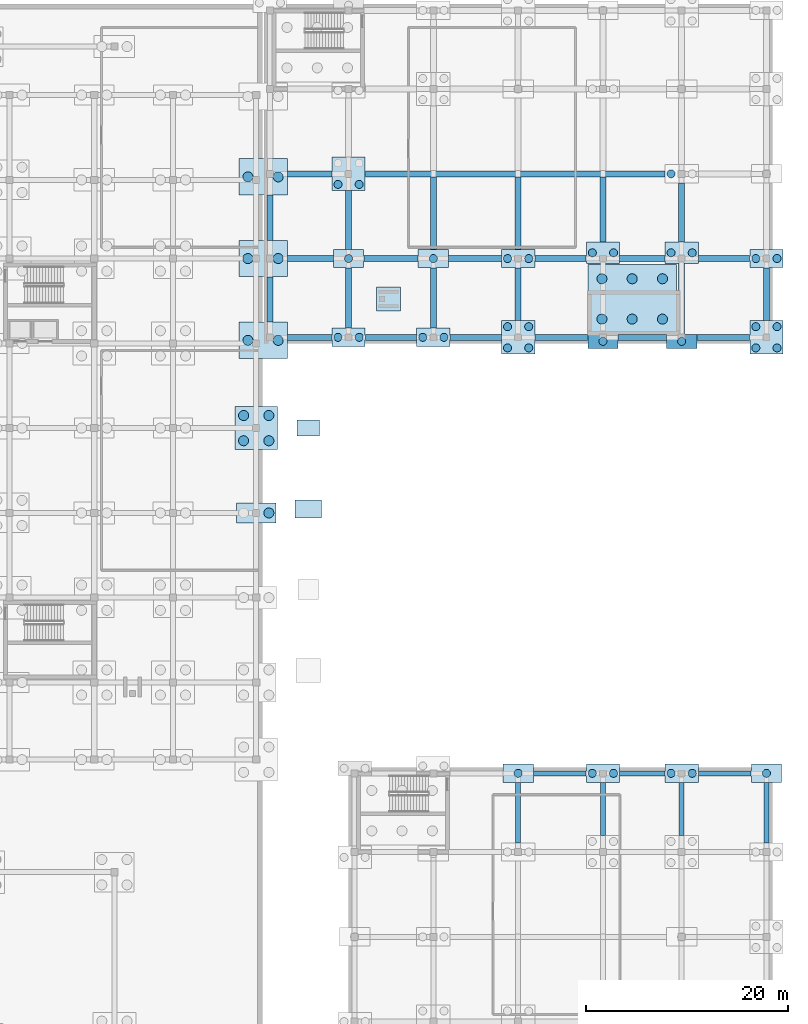
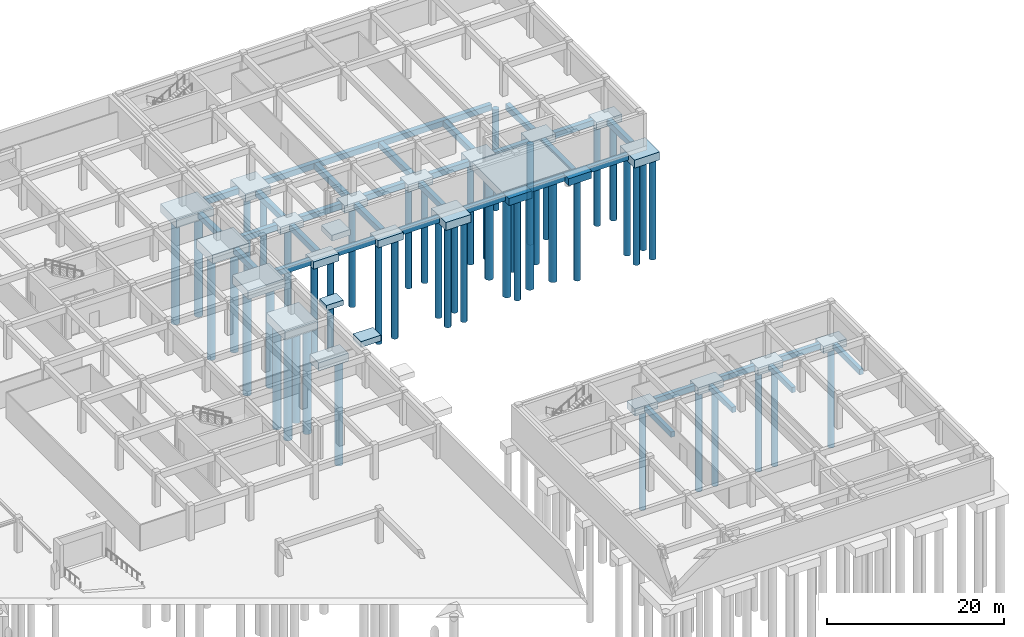
# One storey, part 6 of 35: 59 footings, 50 piles.
"""IFC4 building model written with IfcOpenShell, lengths in metres."""

from ifc_helpers import new_model, si_unit, direction, frame, origin, origin_2d, place, context, subcontext, project, spatial, rectangle, circle, extrude, material, material_profile, profile_set, type_object, element, save


model = new_model("IFC4")

# Units and contexts
model_context = context("Model", 3, precision=1e-05, world=origin(), true_north=direction((0.0, 1.0)))
body_context = subcontext(model_context, "Body", "Model", "MODEL_VIEW")
ifc_project = project(units=[si_unit("LENGTHUNIT", "METRE"), si_unit("AREAUNIT", "SQUARE_METRE"), si_unit("VOLUMEUNIT", "CUBIC_METRE"), si_unit("PLANEANGLEUNIT", "RADIAN"), si_unit("MASSUNIT", "GRAM", prefix="KILO")], contexts=[model_context])

# Site, building, storey
site_placement = place(None, origin())
site = spatial("IfcSite", under=ifc_project, at=site_placement, CompositionType="ELEMENT")
building_placement = place(site_placement, origin())
building = spatial("IfcBuilding", under=site, at=building_placement, Name="Zayran Congress Hotel", CompositionType="ELEMENT")
storey_placement = place(building_placement, frame((0.0, 0.0, -4.800048828125)))
storey = spatial("IfcBuildingStorey", under=building, at=storey_placement, Name="B1", CompositionType="ELEMENT", Elevation=-4.800048828125)

# Piles
ifc_material = material(Name="Concrete C40/50", Category="concrete")
ifc_material_profile_1 = material_profile(ifc_material, circle(Radius=0.5, at=origin_2d()), Name="PILE D1000")
ifc_profile_set_1 = profile_set([ifc_material_profile_1], Name="Concrete C40/50")
pile_type_1 = type_object("IfcPileType", Name="TP-PL-1000", PredefinedType="BORED", material=ifc_profile_set_1)
for number, where, z_axis, x_axis, name in (
    (1, (176.300048828125, 86.800048828125, -1.599853515625), (0.0, 0.0, -1.0), (1.0, 0.0, 0.0), "PIL-0007"),
    (2, (176.300048828125, 90.800048828125, -1.599853515625), (0.0, 0.0, -1.0), (1.0, 0.0, 0.0), "PIL-0008"),
    (3, (179.300048828125, 86.800048828125, -1.599853515625), (0.0, 0.0, -1.0), (1.0, 0.0, 0.0), "PIL-0009"),
    (4, (179.300048828125, 90.800048828125, -1.599853515625), (0.0, 0.0, -1.0), (1.0, 0.0, 0.0), "PIL-0010"),
    (5, (182.300048828125, 86.800048828125, -1.599853515625), (0.0, 0.0, -1.0), (1.0, 0.0, 0.0), "PIL-0011"),
    (6, (182.300048828125, 90.800048828125, -1.599853515625), (0.0, 0.0, -1.0), (1.0, 0.0, 0.0), "PIL-0012"),
    (7, (143.300048828125, 67.60009765625, -1.599853515625), (0.0, 0.0, -1.0), (1.0, 0.0, 0.0), "PIL-0577"),
):
    element("IfcPile", number, at=place(storey_placement, frame(where, z_axis=z_axis, x_axis=x_axis)), inside=storey, type_object=pile_type_1, Name=name, PredefinedType="BORED", context=body_context, shape_type="SweptSolid", body=[
        extrude(circle(Radius=0.5, at=origin_2d()), origin(), (0.0, 0.0, 1.0), 14.60009765625),
    ])
for number, where, z_axis, x_axis, name in (
    (8, (140.800048828125, 74.75, -1.699951171875), (0.0, 0.0, -1.0), (1.0, 0.0, 0.0), "PIL-0578"),
    (9, (143.300048828125, 74.75, -1.699951171875), (0.0, 0.0, -1.0), (1.0, 0.0, 0.0), "PIL-0579"),
    (10, (140.800048828125, 77.25, -1.699951171875), (0.0, 0.0, -1.0), (1.0, 0.0, 0.0), "PIL-0580"),
    (11, (143.300048828125, 77.25, -1.699951171875), (0.0, 0.0, -1.0), (1.0, 0.0, 0.0), "PIL-0581"),
    (12, (141.22509765625, 84.699951171875, -1.699951171875), (0.0, 0.0, -1.0), (1.0, 0.0, 0.0), "PIL-0582"),
    (13, (144.22509765625, 84.699951171875, -1.699951171875), (0.0, 0.0, -1.0), (1.0, 0.0, 0.0), "PIL-0583"),
    (14, (141.22509765625, 92.800048828125, -1.699951171875), (0.0, 0.0, -1.0), (1.0, 0.0, 0.0), "PIL-0584"),
    (15, (144.22509765625, 92.800048828125, -1.699951171875), (0.0, 0.0, -1.0), (1.0, 0.0, 0.0), "PIL-0585"),
    (16, (141.22509765625, 100.89990234375, -1.699951171875), (0.0, 0.0, -1.0), (1.0, 0.0, 0.0), "PIL-0586"),
    (17, (144.22509765625, 100.89990234375, -1.699951171875), (0.0, 0.0, -1.0), (1.0, 0.0, 0.0), "PIL-0587"),
):
    element("IfcPile", number, at=place(storey_placement, frame(where, z_axis=z_axis, x_axis=x_axis)), inside=storey, type_object=pile_type_1, Name=name, PredefinedType="BORED", context=body_context, shape_type="SweptSolid", body=[
        extrude(circle(Radius=0.5, at=origin_2d()), origin(), (0.0, 0.0, 1.0), 14.5),
    ])
ifc_material_profile_2 = material_profile(ifc_material, circle(Radius=0.39990234375, at=origin_2d()), Name="PILE D800")
ifc_profile_set_2 = profile_set([ifc_material_profile_2], Name="Concrete C40/50")
pile_type_2 = type_object("IfcPileType", Name="TP-PL-800", PredefinedType="BORED", material=ifc_profile_set_2)
for number, where, z_axis, x_axis, name in (
    (18, (150.14990234375, 85.0, -1.5), (0.0, 0.0, -1.0), (1.0, 0.0, 0.0), "PIL-0592"),
    (19, (152.25, 85.0, -1.5), (0.0, 0.0, -1.0), (1.0, 0.0, 0.0), "PIL-0593"),
    (20, (151.199951171875, 92.800048828125, -1.5), (0.0, 0.0, -1.0), (1.0, 0.0, 0.0), "PIL-0594"),
):
    element("IfcPile", number, at=place(storey_placement, frame(where, z_axis=z_axis, x_axis=x_axis)), inside=storey, type_object=pile_type_2, Name=name, PredefinedType="BORED", context=body_context, shape_type="SweptSolid", body=[
        extrude(circle(Radius=0.39990234375, at=origin_2d()), origin(), (0.0, 0.0, 1.0), 13.89990234375),
    ])
for number, where, z_axis, x_axis, name in (
    (21, (150.14990234375, 100.14990234375, -1.599853515625), (0.0, 0.0, -1.0), (1.0, 0.0, 0.0), "PIL-0595"),
    (22, (152.25, 100.14990234375, -1.599853515625), (0.0, 0.0, -1.0), (1.0, 0.0, 0.0), "PIL-0596"),
):
    element("IfcPile", number, at=place(storey_placement, frame(where, z_axis=z_axis, x_axis=x_axis)), inside=storey, type_object=pile_type_2, Name=name, PredefinedType="BORED", context=body_context, shape_type="SweptSolid", body=[
        extrude(circle(Radius=0.39990234375, at=origin_2d()), origin(), (0.0, 0.0, 1.0), 13.800048828125),
    ])
for number, where, z_axis, x_axis, name in (
    (23, (158.550048828125, 85.0, -1.5), (0.0, 0.0, -1.0), (1.0, 0.0, 0.0), "PIL-0626"),
    (24, (160.64990234375, 85.0, -1.5), (0.0, 0.0, -1.0), (1.0, 0.0, 0.0), "PIL-0627"),
    (25, (159.60009765625, 92.800048828125, -1.5), (0.0, 0.0, -1.0), (1.0, 0.0, 0.0), "PIL-0628"),
    (26, (168.0, 41.800048828125, -1.5), (0.0, 0.0, -1.0), (1.0, 0.0, 0.0), "PIL-0645"),
):
    element("IfcPile", number, at=place(storey_placement, frame(where, z_axis=z_axis, x_axis=x_axis)), inside=storey, type_object=pile_type_2, Name=name, PredefinedType="BORED", context=body_context, shape_type="SweptSolid", body=[
        extrude(circle(Radius=0.39990234375, at=origin_2d()), origin(), (0.0, 0.0, 1.0), 13.89990234375),
    ])
for number, where, z_axis, x_axis, name in (
    (27, (166.949951171875, 83.949951171875, -1.599853515625), (0.0, 0.0, -1.0), (1.0, 0.0, 0.0), "PIL-0646"),
    (28, (169.050048828125, 83.949951171875, -1.599853515625), (0.0, 0.0, -1.0), (1.0, 0.0, 0.0), "PIL-0647"),
    (29, (166.949951171875, 86.050048828125, -1.599853515625), (0.0, 0.0, -1.0), (1.0, 0.0, 0.0), "PIL-0648"),
    (30, (169.050048828125, 86.050048828125, -1.599853515625), (0.0, 0.0, -1.0), (1.0, 0.0, 0.0), "PIL-0649"),
):
    element("IfcPile", number, at=place(storey_placement, frame(where, z_axis=z_axis, x_axis=x_axis)), inside=storey, type_object=pile_type_2, Name=name, PredefinedType="BORED", context=body_context, shape_type="SweptSolid", body=[
        extrude(circle(Radius=0.39990234375, at=origin_2d()), origin(), (0.0, 0.0, 1.0), 13.800048828125),
    ])
for number, where, z_axis, x_axis, name in (
    (31, (166.949951171875, 92.800048828125, -1.5), (0.0, 0.0, -1.0), (1.0, 0.0, 0.0), "PIL-0650"),
    (32, (169.050048828125, 92.800048828125, -1.5), (0.0, 0.0, -1.0), (1.0, 0.0, 0.0), "PIL-0651"),
    (33, (175.35009765625, 41.800048828125, -1.5), (0.0, 0.0, -1.0), (1.0, 0.0, 0.0), "PIL-0666"),
    (34, (177.449951171875, 41.800048828125, -1.5), (0.0, 0.0, -1.0), (1.0, 0.0, 0.0), "PIL-0667"),
    (35, (176.39990234375, 84.60009765625, -1.5), (0.0, 0.0, -1.0), (1.0, 0.0, 0.0), "PIL-0668"),
):
    element("IfcPile", number, at=place(storey_placement, frame(where, z_axis=z_axis, x_axis=x_axis)), inside=storey, type_object=pile_type_2, Name=name, PredefinedType="BORED", context=body_context, shape_type="SweptSolid", body=[
        extrude(circle(Radius=0.39990234375, at=origin_2d()), origin(), (0.0, 0.0, 1.0), 13.89990234375),
    ])
for number, where, z_axis, x_axis, name in (
    (36, (175.35009765625, 93.375, -1.599853515625), (0.0, 0.0, -1.0), (1.0, 0.0, 0.0), "PIL-0669"),
    (37, (177.449951171875, 93.375, -1.599853515625), (0.0, 0.0, -1.0), (1.0, 0.0, 0.0), "PIL-0670"),
):
    element("IfcPile", number, at=place(storey_placement, frame(where, z_axis=z_axis, x_axis=x_axis)), inside=storey, type_object=pile_type_2, Name=name, PredefinedType="BORED", context=body_context, shape_type="SweptSolid", body=[
        extrude(circle(Radius=0.39990234375, at=origin_2d()), origin(), (0.0, 0.0, 1.0), 13.800048828125),
    ])
for number, where, z_axis, x_axis, name in (
    (38, (183.14990234375, 41.800048828125, -1.5), (0.0, 0.0, -1.0), (1.0, 0.0, 0.0), "PIL-0685"),
    (39, (185.25, 41.800048828125, -1.5), (0.0, 0.0, -1.0), (1.0, 0.0, 0.0), "PIL-0686"),
    (40, (184.199951171875, 84.60009765625, -1.5), (0.0, 0.0, -1.0), (1.0, 0.0, 0.0), "PIL-0687"),
):
    element("IfcPile", number, at=place(storey_placement, frame(where, z_axis=z_axis, x_axis=x_axis)), inside=storey, type_object=pile_type_2, Name=name, PredefinedType="BORED", context=body_context, shape_type="SweptSolid", body=[
        extrude(circle(Radius=0.39990234375, at=origin_2d()), origin(), (0.0, 0.0, 1.0), 13.89990234375),
    ])
for number, where, z_axis, x_axis, name in (
    (41, (183.14990234375, 93.375, -1.599853515625), (0.0, 0.0, -1.0), (1.0, 0.0, 0.0), "PIL-0688"),
    (42, (185.25, 93.375, -1.599853515625), (0.0, 0.0, -1.0), (1.0, 0.0, 0.0), "PIL-0689"),
):
    element("IfcPile", number, at=place(storey_placement, frame(where, z_axis=z_axis, x_axis=x_axis)), inside=storey, type_object=pile_type_2, Name=name, PredefinedType="BORED", context=body_context, shape_type="SweptSolid", body=[
        extrude(circle(Radius=0.39990234375, at=origin_2d()), origin(), (0.0, 0.0, 1.0), 13.800048828125),
    ])
for number, where, z_axis, x_axis, name in (
    (43, (183.14990234375, 101.199951171875, -1.5), (0.0, 0.0, -1.0), (1.0, 0.0, 0.0), "PIL-0690"),
    (44, (192.60009765625, 41.800048828125, -1.5), (0.0, 0.0, -1.0), (1.0, 0.0, 0.0), "PIL-0708"),
):
    element("IfcPile", number, at=place(storey_placement, frame(where, z_axis=z_axis, x_axis=x_axis)), inside=storey, type_object=pile_type_2, Name=name, PredefinedType="BORED", context=body_context, shape_type="SweptSolid", body=[
        extrude(circle(Radius=0.39990234375, at=origin_2d()), origin(), (0.0, 0.0, 1.0), 13.89990234375),
    ])
for number, where, z_axis, x_axis, name in (
    (45, (191.550048828125, 83.949951171875, -1.599853515625), (0.0, 0.0, -1.0), (1.0, 0.0, 0.0), "PIL-0709"),
    (46, (193.64990234375, 83.949951171875, -1.599853515625), (0.0, 0.0, -1.0), (1.0, 0.0, 0.0), "PIL-0710"),
    (47, (191.550048828125, 86.050048828125, -1.599853515625), (0.0, 0.0, -1.0), (1.0, 0.0, 0.0), "PIL-0711"),
    (48, (193.64990234375, 86.050048828125, -1.599853515625), (0.0, 0.0, -1.0), (1.0, 0.0, 0.0), "PIL-0712"),
):
    element("IfcPile", number, at=place(storey_placement, frame(where, z_axis=z_axis, x_axis=x_axis)), inside=storey, type_object=pile_type_2, Name=name, PredefinedType="BORED", context=body_context, shape_type="SweptSolid", body=[
        extrude(circle(Radius=0.39990234375, at=origin_2d()), origin(), (0.0, 0.0, 1.0), 13.800048828125),
    ])
for number, where, z_axis, x_axis, name in (
    (49, (191.550048828125, 92.800048828125, -1.5), (0.0, 0.0, -1.0), (1.0, 0.0, 0.0), "PIL-0713"),
    (50, (193.64990234375, 92.800048828125, -1.5), (0.0, 0.0, -1.0), (1.0, 0.0, 0.0), "PIL-0714"),
):
    element("IfcPile", number, at=place(storey_placement, frame(where, z_axis=z_axis, x_axis=x_axis)), inside=storey, type_object=pile_type_2, Name=name, PredefinedType="BORED", context=body_context, shape_type="SweptSolid", body=[
        extrude(circle(Radius=0.39990234375, at=origin_2d()), origin(), (0.0, 0.0, 1.0), 13.89990234375),
    ])

# Footings
footing_type_1 = type_object("IfcFootingType", Name="TP-PC-06", PredefinedType="PILE_CAP", material=ifc_material)
footing_1_placement = place(storey_placement, frame((142.050048828125, 76.0, -1.7998046875), z_axis=(0.0, 0.0, 1.0), x_axis=(1.0, 0.0, 0.0)))
element("IfcFooting", 51, at=footing_1_placement, inside=storey, type_object=footing_type_1, Name="FTG-CAP-172", PredefinedType="PILE_CAP", context=body_context, shape_type="SweptSolid", body=[
    extrude(rectangle(XDim=4.25, YDim=4.25, at=origin_2d()), origin(), (0.0, 0.0, 1.0), 1.199951171875),
])
footing_type_2 = type_object("IfcFootingType", Name="TP-PC-08", PredefinedType="PILE_CAP", material=ifc_material)
for number, where, z_axis, x_axis, name in (
    (52, (151.199951171875, 101.199951171875, -1.699951171875), (0.0, 0.0, 1.0), (1.0, 0.0, 0.0), "FTG-CAP-180"),
    (53, (168.0, 85.0, -1.699951171875), (0.0, 0.0, 1.0), (1.0, 0.0, 0.0), "FTG-CAP-201"),
    (54, (192.60009765625, 85.0, -1.699951171875), (0.0, 0.0, 1.0), (1.0, 0.0, 0.0), "FTG-CAP-228"),
):
    element("IfcFooting", number, at=place(storey_placement, frame(where, z_axis=z_axis, x_axis=x_axis)), inside=storey, type_object=footing_type_2, Name=name, PredefinedType="PILE_CAP", context=body_context, shape_type="SweptSolid", body=[
        extrude(rectangle(XDim=3.300048828125, YDim=3.300048828125, at=origin_2d()), origin(), (0.0, 0.0, 1.0), 1.10009765625),
    ])
footing_type_3 = type_object("IfcFootingType", Name="TP-PC-12", PredefinedType="PILE_CAP", material=ifc_material)
footing_2_placement = place(storey_placement, frame((142.050048828125, 67.60009765625, -1.699951171875), z_axis=(0.0, 0.0, 1.0), x_axis=(1.0, 0.0, 0.0)))
element("IfcFooting", 55, at=footing_2_placement, inside=storey, type_object=footing_type_3, Name="FTG-CAP-171", PredefinedType="PILE_CAP", context=body_context, shape_type="SweptSolid", body=[
    extrude(rectangle(XDim=3.89990234375, YDim=2.0, at=origin_2d()), origin(), (0.0, 0.0, 1.0), 1.10009765625),
])
footing_type_4 = type_object("IfcFootingType", Name="TP-PC-13", PredefinedType="PILE_CAP", material=ifc_material)
for number, where, z_axis, x_axis, name in (
    (56, (151.199951171875, 85.0, -1.599853515625), (0.0, 0.0, 1.0), (1.0, 0.0, 0.0), "FTG-CAP-178"),
    (57, (159.60009765625, 85.0, -1.599853515625), (0.0, 0.0, 1.0), (1.0, 0.0, 0.0), "FTG-CAP-193"),
    (58, (168.0, 92.800048828125, -1.599853515625), (0.0, 0.0, 1.0), (1.0, 0.0, 0.0), "FTG-CAP-202"),
    (59, (176.39990234375, 41.800048828125, -1.599853515625), (0.0, 0.0, 1.0), (1.0, 0.0, 0.0), "FTG-CAP-208"),
    (60, (184.199951171875, 41.800048828125, -1.599853515625), (0.0, 0.0, 1.0), (1.0, 0.0, 0.0), "FTG-CAP-217"),
    (61, (192.60009765625, 92.800048828125, -1.599853515625), (0.0, 0.0, 1.0), (1.0, 0.0, 0.0), "FTG-CAP-229"),
):
    element("IfcFooting", number, at=place(storey_placement, frame(where, z_axis=z_axis, x_axis=x_axis)), inside=storey, type_object=footing_type_4, Name=name, PredefinedType="PILE_CAP", context=body_context, shape_type="SweptSolid", body=[
        extrude(rectangle(XDim=3.300048828125, YDim=1.800048828125, at=origin_2d()), origin(), (0.0, 0.0, 1.0), 1.0),
    ])
footing_type_5 = type_object("IfcFootingType", Name="TP-PC-14", PredefinedType="PILE_CAP", material=ifc_material)
for number, where, z_axis, x_axis, name in (
    (62, (151.199951171875, 92.800048828125, -1.599853515625), (0.0, 0.0, 1.0), (1.0, 0.0, 0.0), "FTG-CAP-179"),
    (63, (159.60009765625, 92.800048828125, -1.599853515625), (0.0, 0.0, 1.0), (1.0, 0.0, 0.0), "FTG-CAP-194"),
    (64, (168.0, 41.800048828125, -1.599853515625), (0.0, 0.0, 1.0), (1.0, 0.0, 0.0), "FTG-CAP-200"),
    (65, (192.60009765625, 41.800048828125, -1.599853515625), (0.0, 0.0, 1.0), (1.0, 0.0, 0.0), "FTG-CAP-227"),
):
    element("IfcFooting", number, at=place(storey_placement, frame(where, z_axis=z_axis, x_axis=x_axis)), inside=storey, type_object=footing_type_5, Name=name, PredefinedType="PILE_CAP", context=body_context, shape_type="SweptSolid", body=[
        extrude(rectangle(XDim=3.0, YDim=1.800048828125, at=origin_2d()), origin(), (0.0, 0.0, 1.0), 1.0),
    ])
footing_type_6 = type_object("IfcFootingType", Name="TP-PF-01", PredefinedType="PAD_FOOTING", material=ifc_material)
footing_3_placement = place(storey_placement, frame((155.14990234375, 88.800048828125, -1.39990234375), z_axis=(0.0, 0.0, 1.0), x_axis=(1.0, 0.0, 0.0)))
element("IfcFooting", 66, at=footing_3_placement, inside=storey, type_object=footing_type_6, Name="FTG-VOM-04", PredefinedType="PAD_FOOTING", context=body_context, shape_type="SweptSolid", body=[
    extrude(rectangle(XDim=2.39990234375, YDim=2.39990234375, at=origin_2d()), origin(), (0.0, 0.0, 1.0), 0.800048828125),
])
footing_type_7 = type_object("IfcFootingType", Name="TP-PF-03", PredefinedType="PAD_FOOTING", material=ifc_material)
footing_4_placement = place(storey_placement, frame((147.199951171875, 68.0, -0.7998046875), z_axis=(0.0, 0.0, 1.0), x_axis=(1.0, 0.0, 0.0)))
element("IfcFooting", 67, at=footing_4_placement, inside=storey, type_object=footing_type_7, Name="FTG-PAD-09", PredefinedType="PAD_FOOTING", context=body_context, shape_type="SweptSolid", body=[
    extrude(rectangle(XDim=2.60009765625, YDim=1.800048828125, at=origin_2d()), origin(), (0.0, 0.0, 1.0), 0.800048828125),
])
footing_type_8 = type_object("IfcFootingType", Name="TP-PF-04", PredefinedType="PAD_FOOTING", material=ifc_material)
footing_5_placement = place(storey_placement, frame((147.199951171875, 76.0, -0.69970703125), z_axis=(0.0, 0.0, 1.0), x_axis=(1.0, 0.0, 0.0)))
element("IfcFooting", 68, at=footing_5_placement, inside=storey, type_object=footing_type_8, Name="FTG-PAD-10", PredefinedType="PAD_FOOTING", context=body_context, shape_type="SweptSolid", body=[
    extrude(rectangle(XDim=2.199951171875, YDim=1.60009765625, at=origin_2d()), origin(), (0.0, 0.0, 1.0), 0.699951171875),
])
footing_type_9 = type_object("IfcFootingType", Name="TP-GB-01", PredefinedType="FOOTING_BEAM", material=ifc_material)
footing_6_placement = place(storey_placement, frame((147.3369140625, 85.0, -1.39990234375), z_axis=(0.0, 0.0, 1.0), x_axis=(1.0, 0.0, 0.0)))
element("IfcFooting", 69, at=footing_6_placement, inside=storey, type_object=footing_type_9, Name="FTG-GB-001", PredefinedType="FOOTING_BEAM", context=body_context, shape_type="SweptSolid", body=[
    extrude(rectangle(XDim=4.405029296875, YDim=0.60009765625, at=origin_2d()), origin(), (0.0, 0.0, 1.0), 0.800048828125),
])
for number, where, z_axis, x_axis, name in (
    (70, (155.39990234375, 85.0, -1.39990234375), (0.0, 0.0, 1.0), (1.0, 0.0, 0.0), "FTG-GB-002"),
    (71, (163.800048828125, 85.0, -1.39990234375), (0.0, 0.0, 1.0), (1.0, 0.0, 0.0), "FTG-GB-003"),
):
    element("IfcFooting", number, at=place(storey_placement, frame(where, z_axis=z_axis, x_axis=x_axis)), inside=storey, type_object=footing_type_9, Name=name, PredefinedType="FOOTING_BEAM", context=body_context, shape_type="SweptSolid", body=[
        extrude(rectangle(XDim=5.080078125, YDim=0.60009765625, at=origin_2d()), origin(), (0.0, 0.0, 1.0), 0.800048828125),
    ])
footing_7_placement = place(storey_placement, frame((172.27490234375, 85.0, -1.39990234375), z_axis=(0.0, 0.0, 1.0), x_axis=(1.0, 0.0, 0.0)))
element("IfcFooting", 72, at=footing_7_placement, inside=storey, type_object=footing_type_9, Name="FTG-GB-004", PredefinedType="FOOTING_BEAM", context=body_context, shape_type="SweptSolid", body=[
    extrude(rectangle(XDim=5.22998046875, YDim=0.60009765625, at=origin_2d()), origin(), (0.0, 0.0, 1.0), 0.800048828125),
])
footing_8_placement = place(storey_placement, frame((180.300048828125, 85.0, -1.39990234375), z_axis=(0.0, 0.0, 1.0), x_axis=(1.0, 0.0, 0.0)))
element("IfcFooting", 73, at=footing_8_placement, inside=storey, type_object=footing_type_9, Name="FTG-GB-005", PredefinedType="FOOTING_BEAM", context=body_context, shape_type="SweptSolid", body=[
    extrude(rectangle(XDim=4.780029296875, YDim=0.60009765625, at=origin_2d()), origin(), (0.0, 0.0, 1.0), 0.800048828125),
])
footing_9_placement = place(storey_placement, frame((188.324951171875, 85.0, -1.39990234375), z_axis=(0.0, 0.0, 1.0), x_axis=(1.0, 0.0, 0.0)))
element("IfcFooting", 74, at=footing_9_placement, inside=storey, type_object=footing_type_9, Name="FTG-GB-006", PredefinedType="FOOTING_BEAM", context=body_context, shape_type="SweptSolid", body=[
    extrude(rectangle(XDim=5.22998046875, YDim=0.60009765625, at=origin_2d()), origin(), (0.0, 0.0, 1.0), 0.800048828125),
])
footing_10_placement = place(storey_placement, frame((147.412109375, 92.800048828125, -1.39990234375), z_axis=(0.0, 0.0, 1.0), x_axis=(1.0, 0.0, 0.0)))
element("IfcFooting", 75, at=footing_10_placement, inside=storey, type_object=footing_type_9, Name="FTG-GB-007", PredefinedType="FOOTING_BEAM", context=body_context, shape_type="SweptSolid", body=[
    extrude(rectangle(XDim=4.554931640625, YDim=0.60009765625, at=origin_2d()), origin(), (0.0, 0.0, 1.0), 0.800048828125),
])
footing_11_placement = place(storey_placement, frame((155.39990234375, 92.800048828125, -1.39990234375), z_axis=(0.0, 0.0, 1.0), x_axis=(1.0, 0.0, 0.0)))
element("IfcFooting", 76, at=footing_11_placement, inside=storey, type_object=footing_type_9, Name="FTG-GB-008", PredefinedType="FOOTING_BEAM", context=body_context, shape_type="SweptSolid", body=[
    extrude(rectangle(XDim=5.3798828125, YDim=0.60009765625, at=origin_2d()), origin(), (0.0, 0.0, 1.0), 0.800048828125),
])
footing_12_placement = place(storey_placement, frame((163.72509765625, 92.800048828125, -1.39990234375), z_axis=(0.0, 0.0, 1.0), x_axis=(1.0, 0.0, 0.0)))
element("IfcFooting", 77, at=footing_12_placement, inside=storey, type_object=footing_type_9, Name="FTG-GB-009", PredefinedType="FOOTING_BEAM", context=body_context, shape_type="SweptSolid", body=[
    extrude(rectangle(XDim=5.22998046875, YDim=0.60009765625, at=origin_2d()), origin(), (0.0, 0.0, 1.0), 0.800048828125),
])
footing_13_placement = place(storey_placement, frame((172.199951171875, 92.800048828125, -1.39990234375), z_axis=(0.0, 0.0, 1.0), x_axis=(1.0, 0.0, 0.0)))
element("IfcFooting", 78, at=footing_13_placement, inside=storey, type_object=footing_type_9, Name="FTG-GB-010", PredefinedType="FOOTING_BEAM", context=body_context, shape_type="SweptSolid", body=[
    extrude(rectangle(XDim=5.080078125, YDim=0.60009765625, at=origin_2d()), origin(), (0.0, 0.0, 1.0), 0.800048828125),
])
footing_14_placement = place(storey_placement, frame((180.300048828125, 92.800048828125, -1.39990234375), z_axis=(0.0, 0.0, 1.0), x_axis=(1.0, 0.0, 0.0)))
element("IfcFooting", 79, at=footing_14_placement, inside=storey, type_object=footing_type_9, Name="FTG-GB-011", PredefinedType="FOOTING_BEAM", context=body_context, shape_type="SweptSolid", body=[
    extrude(rectangle(XDim=4.47998046875, YDim=0.60009765625, at=origin_2d()), origin(), (0.0, 0.0, 1.0), 0.800048828125),
])
footing_15_placement = place(storey_placement, frame((188.39990234375, 92.800048828125, -1.39990234375), z_axis=(0.0, 0.0, 1.0), x_axis=(1.0, 0.0, 0.0)))
element("IfcFooting", 80, at=footing_15_placement, inside=storey, type_object=footing_type_9, Name="FTG-GB-012", PredefinedType="FOOTING_BEAM", context=body_context, shape_type="SweptSolid", body=[
    extrude(rectangle(XDim=5.080078125, YDim=0.60009765625, at=origin_2d()), origin(), (0.0, 0.0, 1.0), 0.800048828125),
])
footing_16_placement = place(storey_placement, frame((147.3369140625, 101.199951171875, -1.39990234375), z_axis=(0.0, 0.0, 1.0), x_axis=(1.0, 0.0, 0.0)))
element("IfcFooting", 81, at=footing_16_placement, inside=storey, type_object=footing_type_9, Name="FTG-GB-013", PredefinedType="FOOTING_BEAM", context=body_context, shape_type="SweptSolid", body=[
    extrude(rectangle(XDim=4.405029296875, YDim=0.60009765625, at=origin_2d()), origin(), (0.0, 0.0, 1.0), 0.800048828125),
])
footing_17_placement = place(storey_placement, frame((167.699951171875, 101.199951171875, -1.39990234375), z_axis=(0.0, 0.0, 1.0), x_axis=(1.0, 0.0, 0.0)))
element("IfcFooting", 82, at=footing_17_placement, inside=storey, type_object=footing_type_9, Name="FTG-GB-014", PredefinedType="FOOTING_BEAM", context=body_context, shape_type="SweptSolid", body=[
    extrude(rectangle(XDim=29.679931640625, YDim=0.60009765625, at=origin_2d()), origin(), (0.0, 0.0, 1.0), 0.800048828125),
])
for number, where, z_axis, x_axis, name in (
    (83, (143.39990234375, 88.75, -1.39990234375), (0.0, 0.0, 1.0), (0.0, 1.0, 0.0), "FTG-GB-027"),
    (84, (143.39990234375, 96.85009765625, -1.39990234375), (0.0, 0.0, 1.0), (0.0, 1.0, 0.0), "FTG-GB-028"),
):
    element("IfcFooting", number, at=place(storey_placement, frame(where, z_axis=z_axis, x_axis=x_axis)), inside=storey, type_object=footing_type_9, Name=name, PredefinedType="FOOTING_BEAM", context=body_context, shape_type="SweptSolid", body=[
        extrude(rectangle(XDim=4.47998046875, YDim=0.60009765625, at=origin_2d()), origin(), (0.0, 0.0, 1.0), 0.800048828125),
    ])
footing_18_placement = place(storey_placement, frame((151.199951171875, 88.89990234375, -1.39990234375), z_axis=(0.0, 0.0, 1.0), x_axis=(0.0, 1.0, 0.0)))
element("IfcFooting", 85, at=footing_18_placement, inside=storey, type_object=footing_type_9, Name="FTG-GB-030", PredefinedType="FOOTING_BEAM", context=body_context, shape_type="SweptSolid", body=[
    extrude(rectangle(XDim=5.97998046875, YDim=0.60009765625, at=origin_2d()), origin(), (0.0, 0.0, 1.0), 0.800048828125),
])
footing_19_placement = place(storey_placement, frame((151.199951171875, 96.625, -1.39990234375), z_axis=(0.0, 0.0, 1.0), x_axis=(0.0, 1.0, 0.0)))
element("IfcFooting", 86, at=footing_19_placement, inside=storey, type_object=footing_type_9, Name="FTG-GB-031", PredefinedType="FOOTING_BEAM", context=body_context, shape_type="SweptSolid", body=[
    extrude(rectangle(XDim=5.830078125, YDim=0.60009765625, at=origin_2d()), origin(), (0.0, 0.0, 1.0), 0.800048828125),
])
footing_20_placement = place(storey_placement, frame((159.60009765625, 88.89990234375, -1.39990234375), z_axis=(0.0, 0.0, 1.0), x_axis=(0.0, 1.0, 0.0)))
element("IfcFooting", 87, at=footing_20_placement, inside=storey, type_object=footing_type_9, Name="FTG-GB-033", PredefinedType="FOOTING_BEAM", context=body_context, shape_type="SweptSolid", body=[
    extrude(rectangle(XDim=5.97998046875, YDim=0.60009765625, at=origin_2d()), origin(), (0.0, 0.0, 1.0), 0.800048828125),
])
footing_21_placement = place(storey_placement, frame((159.60009765625, 97.300048828125, -1.39990234375), z_axis=(0.0, 0.0, 1.0), x_axis=(0.0, 1.0, 0.0)))
element("IfcFooting", 88, at=footing_21_placement, inside=storey, type_object=footing_type_9, Name="FTG-GB-034", PredefinedType="FOOTING_BEAM", context=body_context, shape_type="SweptSolid", body=[
    extrude(rectangle(XDim=7.179931640625, YDim=0.60009765625, at=origin_2d()), origin(), (0.0, 0.0, 1.0), 0.800048828125),
])
footing_22_placement = place(storey_placement, frame((168.0, 89.27490234375, -1.39990234375), z_axis=(0.0, 0.0, 1.0), x_axis=(0.0, 1.0, 0.0)))
element("IfcFooting", 89, at=footing_22_placement, inside=storey, type_object=footing_type_9, Name="FTG-GB-037", PredefinedType="FOOTING_BEAM", context=body_context, shape_type="SweptSolid", body=[
    extrude(rectangle(XDim=5.22998046875, YDim=0.60009765625, at=origin_2d()), origin(), (0.0, 0.0, 1.0), 0.800048828125),
])
footing_23_placement = place(storey_placement, frame((168.0, 97.300048828125, -1.39990234375), z_axis=(0.0, 0.0, 1.0), x_axis=(0.0, 1.0, 0.0)))
element("IfcFooting", 90, at=footing_23_placement, inside=storey, type_object=footing_type_9, Name="FTG-GB-038", PredefinedType="FOOTING_BEAM", context=body_context, shape_type="SweptSolid", body=[
    extrude(rectangle(XDim=7.179931640625, YDim=0.60009765625, at=origin_2d()), origin(), (0.0, 0.0, 1.0), 0.800048828125),
])
footing_24_placement = place(storey_placement, frame((176.39990234375, 97.675048828125, -1.39990234375), z_axis=(0.0, 0.0, 1.0), x_axis=(0.0, 1.0, 0.0)))
element("IfcFooting", 91, at=footing_24_placement, inside=storey, type_object=footing_type_9, Name="FTG-GB-041", PredefinedType="FOOTING_BEAM", context=body_context, shape_type="SweptSolid", body=[
    extrude(rectangle(XDim=6.429931640625, YDim=0.60009765625, at=origin_2d()), origin(), (0.0, 0.0, 1.0), 0.800048828125),
])
footing_25_placement = place(storey_placement, frame((184.199951171875, 88.800048828125, -1.39990234375), z_axis=(0.0, 0.0, 1.0), x_axis=(0.0, 1.0, 0.0)))
element("IfcFooting", 92, at=footing_25_placement, inside=storey, type_object=footing_type_9, Name="FTG-GB-044", PredefinedType="FOOTING_BEAM", context=body_context, shape_type="SweptSolid", body=[
    extrude(rectangle(XDim=6.97998046875, YDim=0.60009765625, at=origin_2d()), origin(), (0.0, 0.0, 1.0), 0.800048828125),
])
footing_26_placement = place(storey_placement, frame((184.199951171875, 97.375, -1.39990234375), z_axis=(0.0, 0.0, 1.0), x_axis=(0.0, 1.0, 0.0)))
element("IfcFooting", 93, at=footing_26_placement, inside=storey, type_object=footing_type_9, Name="FTG-GB-045", PredefinedType="FOOTING_BEAM", context=body_context, shape_type="SweptSolid", body=[
    extrude(rectangle(XDim=5.830078125, YDim=0.60009765625, at=origin_2d()), origin(), (0.0, 0.0, 1.0), 0.800048828125),
])
footing_27_placement = place(storey_placement, frame((192.60009765625, 89.27490234375, -1.39990234375), z_axis=(0.0, 0.0, 1.0), x_axis=(0.0, 1.0, 0.0)))
element("IfcFooting", 94, at=footing_27_placement, inside=storey, type_object=footing_type_9, Name="FTG-GB-048", PredefinedType="FOOTING_BEAM", context=body_context, shape_type="SweptSolid", body=[
    extrude(rectangle(XDim=5.22998046875, YDim=0.60009765625, at=origin_2d()), origin(), (0.0, 0.0, 1.0), 0.800048828125),
])
footing_type_10 = type_object("IfcFootingType", Name="TP-GB-02", PredefinedType="FOOTING_BEAM", material=ifc_material)
footing_28_placement = place(storey_placement, frame((172.125, 41.800048828125, -1.349853515625), z_axis=(0.0, 0.0, 1.0), x_axis=(1.0, 0.0, 0.0)))
element("IfcFooting", 95, at=footing_28_placement, inside=storey, type_object=footing_type_10, Name="FTG-GB-072", PredefinedType="FOOTING_BEAM", context=body_context, shape_type="SweptSolid", body=[
    extrude(rectangle(XDim=5.22998046875, YDim=0.5, at=origin_2d()), origin(), (0.0, 0.0, 1.0), 0.75),
])
footing_29_placement = place(storey_placement, frame((180.300048828125, 41.800048828125, -1.349853515625), z_axis=(0.0, 0.0, 1.0), x_axis=(1.0, 0.0, 0.0)))
element("IfcFooting", 96, at=footing_29_placement, inside=storey, type_object=footing_type_10, Name="FTG-GB-073", PredefinedType="FOOTING_BEAM", context=body_context, shape_type="SweptSolid", body=[
    extrude(rectangle(XDim=4.47998046875, YDim=0.5, at=origin_2d()), origin(), (0.0, 0.0, 1.0), 0.75),
])
footing_30_placement = place(storey_placement, frame((188.47509765625, 41.800048828125, -1.349853515625), z_axis=(0.0, 0.0, 1.0), x_axis=(1.0, 0.0, 0.0)))
element("IfcFooting", 97, at=footing_30_placement, inside=storey, type_object=footing_type_10, Name="FTG-GB-074", PredefinedType="FOOTING_BEAM", context=body_context, shape_type="SweptSolid", body=[
    extrude(rectangle(XDim=5.22998046875, YDim=0.5, at=origin_2d()), origin(), (0.0, 0.0, 1.0), 0.75),
])
footing_31_placement = place(storey_placement, frame((168.0, 37.89990234375, -1.349853515625), z_axis=(0.0, 0.0, 1.0), x_axis=(0.0, 1.0, 0.0)))
element("IfcFooting", 98, at=footing_31_placement, inside=storey, type_object=footing_type_10, Name="FTG-GB-085", PredefinedType="FOOTING_BEAM", context=body_context, shape_type="SweptSolid", body=[
    extrude(rectangle(XDim=5.97998046875, YDim=0.5, at=origin_2d()), origin(), (0.0, 0.0, 1.0), 0.75),
])
for number, where, z_axis, x_axis, name in (
    (99, (176.39990234375, 38.27490234375, -1.349853515625), (0.0, 0.0, 1.0), (0.0, 1.0, 0.0), "FTG-GB-088"),
    (100, (184.199951171875, 38.27490234375, -1.349853515625), (0.0, 0.0, 1.0), (0.0, 1.0, 0.0), "FTG-GB-092"),
):
    element("IfcFooting", number, at=place(storey_placement, frame(where, z_axis=z_axis, x_axis=x_axis)), inside=storey, type_object=footing_type_10, Name=name, PredefinedType="FOOTING_BEAM", context=body_context, shape_type="SweptSolid", body=[
        extrude(rectangle(XDim=5.22998046875, YDim=0.5, at=origin_2d()), origin(), (0.0, 0.0, 1.0), 0.75),
    ])
footing_32_placement = place(storey_placement, frame((192.60009765625, 37.89990234375, -1.349853515625), z_axis=(0.0, 0.0, 1.0), x_axis=(0.0, 1.0, 0.0)))
element("IfcFooting", 101, at=footing_32_placement, inside=storey, type_object=footing_type_10, Name="FTG-GB-096", PredefinedType="FOOTING_BEAM", context=body_context, shape_type="SweptSolid", body=[
    extrude(rectangle(XDim=5.97998046875, YDim=0.5, at=origin_2d()), origin(), (0.0, 0.0, 1.0), 0.75),
])
footing_type_11 = type_object("IfcFootingType", Name="TP-PC-19", PredefinedType="PILE_CAP", material=ifc_material)
footing_33_placement = place(storey_placement, frame((179.300048828125, 88.800048828125, -1.699951171875), z_axis=(0.0, 0.0, 1.0), x_axis=(1.0, 0.0, 0.0)))
element("IfcFooting", 102, at=footing_33_placement, inside=storey, type_object=footing_type_11, Name="FTG-CAP-002", PredefinedType="PILE_CAP", context=body_context, shape_type="SweptSolid", body=[
    extrude(rectangle(XDim=8.800048828125, YDim=6.800048828125, at=origin_2d()), origin(), (0.0, 0.0, 1.0), 1.10009765625),
])
footing_type_12 = type_object("IfcFootingType", Name="TP-PC-17-4800-3600-1200", PredefinedType="PILE_CAP", material=ifc_material)
for number, where, z_axis, x_axis, name in (
    (103, (142.72509765625, 84.699951171875, -1.7998046875), (0.0, 0.0, 1.0), (1.0, 0.0, 0.0), "FTG-CAP-173"),
    (104, (142.72509765625, 92.800048828125, -1.7998046875), (0.0, 0.0, 1.0), (1.0, 0.0, 0.0), "FTG-CAP-174"),
    (105, (142.72509765625, 100.89990234375, -1.7998046875), (0.0, 0.0, 1.0), (1.0, 0.0, 0.0), "FTG-CAP-175"),
):
    element("IfcFooting", number, at=place(storey_placement, frame(where, z_axis=z_axis, x_axis=x_axis)), inside=storey, type_object=footing_type_12, Name=name, PredefinedType="PILE_CAP", context=body_context, shape_type="SweptSolid", body=[
        extrude(rectangle(XDim=4.800048828125, YDim=3.60009765625, at=origin_2d()), origin(), (0.0, 0.0, 1.0), 1.199951171875),
    ])
footing_type_13 = type_object("IfcFootingType", Name="TP-PC-14-3000-1400-1000", PredefinedType="PILE_CAP", material=ifc_material)
for number, where, z_axis, x_axis, name in (
    (106, (176.39990234375, 84.60009765625, -1.599853515625), (0.0, 0.0, 1.0), (1.0, 0.0, 0.0), "FTG-CAP-209"),
    (107, (184.199951171875, 84.60009765625, -1.599853515625), (0.0, 0.0, 1.0), (1.0, 0.0, 0.0), "FTG-CAP-218"),
):
    element("IfcFooting", number, at=place(storey_placement, frame(where, z_axis=z_axis, x_axis=x_axis)), inside=storey, type_object=footing_type_13, Name=name, PredefinedType="PILE_CAP", context=body_context, shape_type="SweptSolid", body=[
        extrude(rectangle(XDim=3.0, YDim=1.39990234375, at=origin_2d()), origin(), (0.0, 0.0, 1.0), 1.0),
    ])
footing_type_14 = type_object("IfcFootingType", Name="TP-PC-08-3300-2150-1100", PredefinedType="PILE_CAP", material=ifc_material)
for number, where, z_axis, x_axis, name in (
    (108, (176.39990234375, 93.375, -1.699951171875), (0.0, 0.0, 1.0), (1.0, 0.0, 0.0), "FTG-CAP-210"),
    (109, (184.199951171875, 93.375, -1.699951171875), (0.0, 0.0, 1.0), (1.0, 0.0, 0.0), "FTG-CAP-219"),
):
    element("IfcFooting", number, at=place(storey_placement, frame(where, z_axis=z_axis, x_axis=x_axis)), inside=storey, type_object=footing_type_14, Name=name, PredefinedType="PILE_CAP", context=body_context, shape_type="SweptSolid", body=[
        extrude(rectangle(XDim=3.300048828125, YDim=2.14990234375, at=origin_2d()), origin(), (0.0, 0.0, 1.0), 1.10009765625),
    ])

save(model, "model.ifc")
